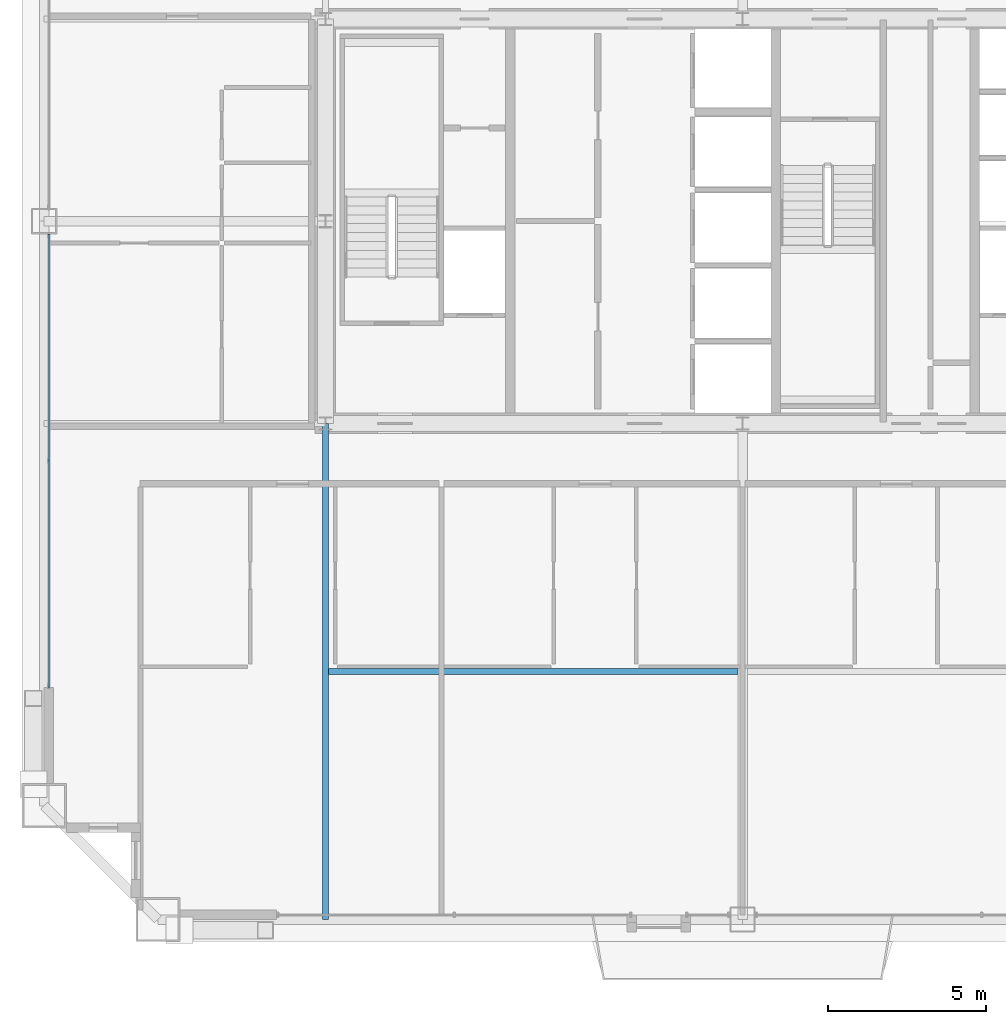
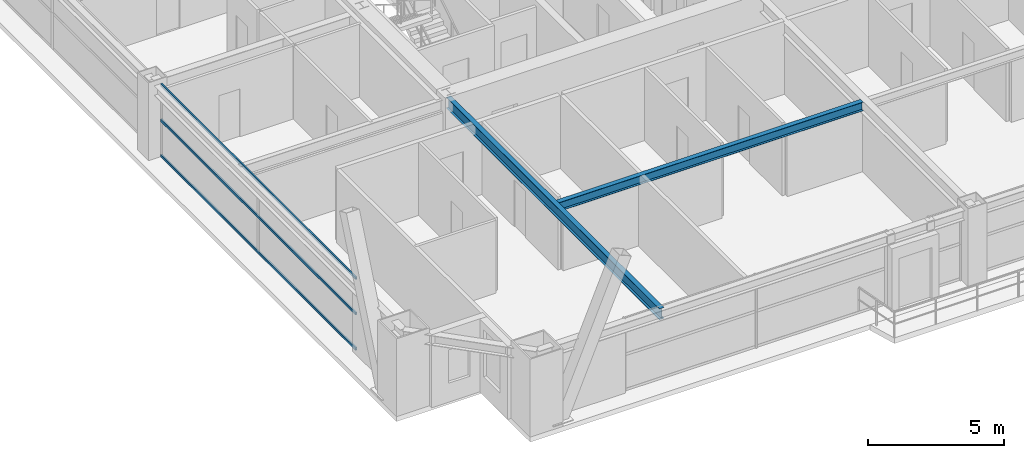
# One storey, part 10 of 42: 3 members, 2 beams, 1 element without a shape of its own.
"""IFC4 building model written with IfcOpenShell, lengths in metres."""

from ifc_helpers import new_model, si_unit, direction, frame, origin, origin_2d, place, context, subcontext, project, spatial, hollow_rectangle, i_section, extrude, source, transform, mapped, material, layer, layer_set, material_profile, profile_set, type_object, element, aggregate, save


model = new_model("IFC4")

# Units and contexts
model_context = context("Model", 3, precision=1e-05, world=origin(), true_north=direction((0.0, 1.0)))
body_context = subcontext(model_context, "Body", "Model", "MODEL_VIEW")
ifc_project = project(units=[si_unit("LENGTHUNIT", "METRE"), si_unit("AREAUNIT", "SQUARE_METRE"), si_unit("VOLUMEUNIT", "CUBIC_METRE"), si_unit("PLANEANGLEUNIT", "RADIAN"), si_unit("MASSUNIT", "GRAM", prefix="KILO"), si_unit("THERMODYNAMICTEMPERATUREUNIT", "KELVIN"), si_unit("POWERUNIT", "WATT")], contexts=[model_context])

# Site, building, storey
site_placement = place(None, origin())
site = spatial("IfcSite", under=ifc_project, at=site_placement, CompositionType="ELEMENT")
building_placement = place(site_placement, origin())
building = spatial("IfcBuilding", under=site, at=building_placement, Name="Yuzanri Waterfront Tower", CompositionType="ELEMENT")
storey_placement = place(building_placement, frame((0.0, 0.0, 184.5)))
storey = spatial("IfcBuildingStorey", under=building, at=storey_placement, Name="L48", CompositionType="ELEMENT", Elevation=184.5)

# Beams
ifc_material_1 = material(Name="Steel Q355B", Category="steel")
ifc_material_profile_1 = material_profile(ifc_material_1, i_section(OverallWidth=0.199951171875, OverallDepth=0.39990234375, WebThickness=0.008056640625, FlangeThickness=0.012939453125, at=origin_2d()), Name="HN 400x200x8x13")
ifc_profile_set_1 = profile_set([ifc_material_profile_1], Name="Steel Q355B")
beam_type_1 = type_object("IfcBeamType", Name="Floor Joist Q355B HN 400x200", PredefinedType="JOIST", material=ifc_profile_set_1)
shared_shape_1 = source(origin(), body_context, "Body", "SweptSolid", [
    extrude(i_section(OverallWidth=0.199951171875, OverallDepth=0.39990234375, WebThickness=0.008056640625, FlangeThickness=0.012939453125, at=origin_2d()), origin(), (0.0, 0.0, 1.0), 12.9501953125),
])
beam_1_placement = place(storey_placement, frame((23.89990234375, 11.550048828125, 3.080078125), z_axis=(1.0, 0.0, 0.0), x_axis=(0.0, 1.0, 0.0)))
element("IfcBeam", 1, at=beam_1_placement, inside=storey, type_object=beam_type_1, Name="L48 South Bay Joist W", PredefinedType="JOIST", context=body_context, shape_type="MappedRepresentation", body=[
    mapped(shared_shape_1, transform((0.0, 0.0, 0.0), scale=1.0)),
])
ifc_material_2 = material(Name="Steel Q355B", Category="steel")
ifc_material_profile_2 = material_profile(ifc_material_2, i_section(OverallWidth=0.199951171875, OverallDepth=0.5, WebThickness=0.010009765625, FlangeThickness=0.01611328125, at=origin_2d()), Name="HN 500x200x10x16")
ifc_profile_set_2 = profile_set([ifc_material_profile_2], Name="Steel Q355B")
beam_type_2 = type_object("IfcBeamType", Name="Secondary Floor Beam Q355B HN 500x200", PredefinedType="BEAM", material=ifc_profile_set_2)
shared_shape_2 = source(origin(), body_context, "Body", "SweptSolid", [
    extrude(i_section(OverallWidth=0.199951171875, OverallDepth=0.5, WebThickness=0.010009765625, FlangeThickness=0.01611328125, at=origin_2d()), origin(), (0.0, 0.0, 1.0), 15.699951171875),
])
beam_2_placement = place(storey_placement, frame((23.800048828125, 19.39990234375, 3.030029296875), z_axis=(0.0, -1.0, 0.0), x_axis=(1.0, 0.0, 0.0)))
element("IfcBeam", 2, at=beam_2_placement, inside=storey, type_object=beam_type_2, Name="L48 South-West Core Line Beam", PredefinedType="BEAM", context=body_context, shape_type="MappedRepresentation", body=[
    mapped(shared_shape_2, transform((0.0, 0.0, 0.0), scale=1.0)),
])

# Curtain wall, members
ifc_material_3 = material(Name="Anodized Architectural Bronze", Category="metal")
ifc_layer = layer(ifc_material_3, 0.159912109375)
ifc_layer_set = layer_set([ifc_layer], Name="Anodized Architectural Bronze")
curtain_wall_type = type_object("IfcCurtainWallType", Name="Anodized Bronze Mid-Rise Residential Acoustic Unitized Curtain Wall 7200", PredefinedType="NOTDEFINED", material=ifc_layer_set)
curtain_wall_placement = place(storey_placement, origin())
curtain_wall = element("IfcCurtainWall", 3, at=curtain_wall_placement, inside=storey, type_object=curtain_wall_type, Name="L48 Curtain Wall CW-L48-WL", PredefinedType="NOTDEFINED")
ifc_material_4 = material(Name="Anodized Architectural Bronze", Category="metal")
ifc_material_profile_3 = material_profile(ifc_material_4, hollow_rectangle(XDim=0.06494140625, YDim=0.1201171875, WallThickness=0.00341796875, at=origin_2d()), Name="CWT 65x120")
ifc_profile_set_3 = profile_set([ifc_material_profile_3], Name="Anodized Architectural Bronze")
member_type = type_object("IfcMemberType", Name="Anodized Bronze Secondary Curtain-Wall Transom 65x120", PredefinedType="USERDEFINED", material=ifc_profile_set_3)
shared_shape_3 = source(origin(), body_context, "Body", "SweptSolid", [
    extrude(hollow_rectangle(XDim=0.06494140625, YDim=0.1201171875, WallThickness=0.00341796875, at=origin_2d()), origin(), (0.0, 0.0, 1.0), 14.349853515625),
])
member_1_placement = place(storey_placement, frame((15.050048828125, 11.050048828125, 0.050048828125), z_axis=(0.0, 1.0, 0.0), x_axis=(-1.0, 0.0, 0.0)))
member_1 = element("IfcMember", 4, at=member_1_placement, type_object=member_type, Name="CW-L48-WL Transom 1", ObjectType="TRANSOM", PredefinedType="USERDEFINED", context=body_context, shape_type="MappedRepresentation", body=[
    mapped(shared_shape_3, transform((0.0, 0.0, 0.0), scale=1.0)),
])
member_2_placement = place(storey_placement, frame((15.050048828125, 11.050048828125, 1.639892578125), z_axis=(0.0, 1.0, 0.0), x_axis=(-1.0, 0.0, 0.0)))
member_2 = element("IfcMember", 5, at=member_2_placement, type_object=member_type, Name="CW-L48-WL Transom 2", ObjectType="TRANSOM", PredefinedType="USERDEFINED", context=body_context, shape_type="MappedRepresentation", body=[
    mapped(shared_shape_3, transform((0.0, 0.0, 0.0), scale=1.0)),
])
member_3_placement = place(storey_placement, frame((15.050048828125, 11.050048828125, 3.22998046875), z_axis=(0.0, 1.0, 0.0), x_axis=(-1.0, 0.0, 0.0)))
member_3 = element("IfcMember", 6, at=member_3_placement, type_object=member_type, Name="CW-L48-WL Transom 3", ObjectType="TRANSOM", PredefinedType="USERDEFINED", context=body_context, shape_type="MappedRepresentation", body=[
    mapped(shared_shape_3, transform((0.0, 0.0, 0.0), scale=1.0)),
])
aggregate(curtain_wall, [member_1, member_2, member_3])

save(model, "model.ifc")
